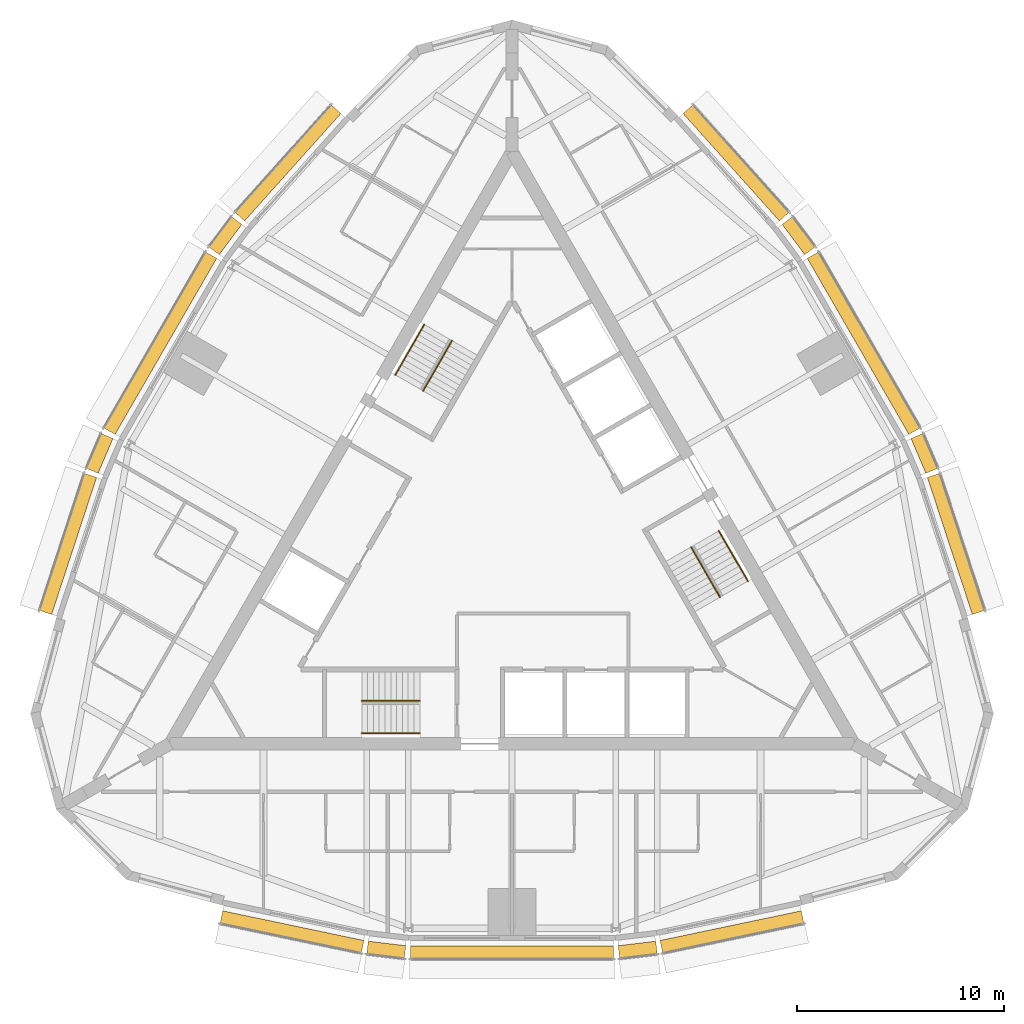
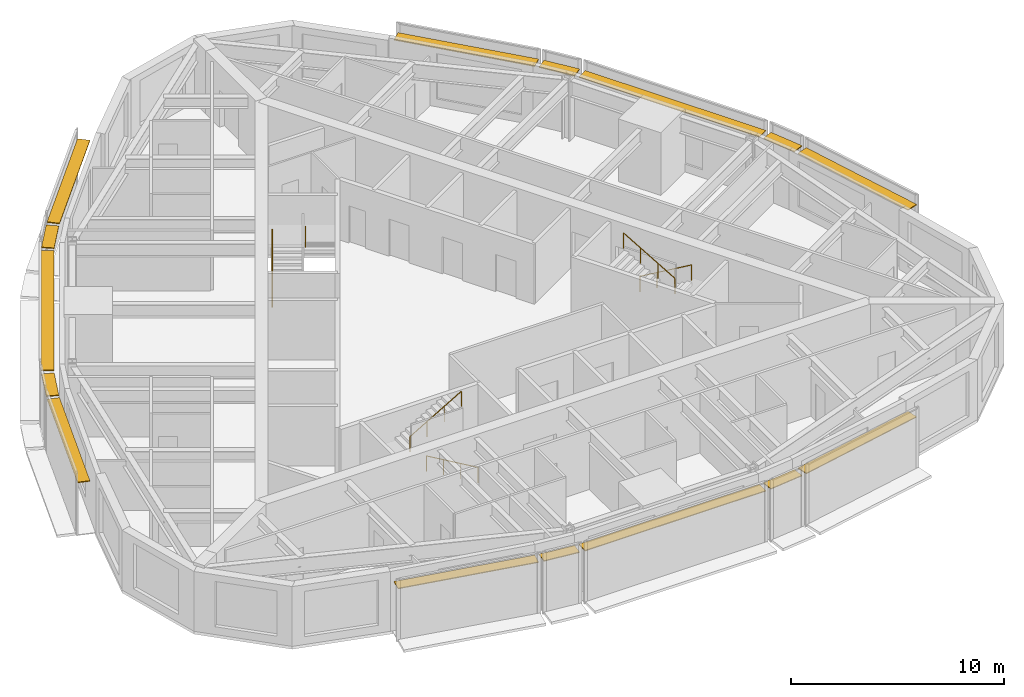
# One storey, part 12 of 12: 15 shading devices, 6 railings.
"""IFC4 building model written with IfcOpenShell, lengths in metres."""

from ifc_helpers import new_model, si_unit, direction, frame, origin, origin_2d, place, context, subcontext, project, spatial, rectangle, circle, extrude, material, type_object, element, save


model = new_model("IFC4")

# Units and contexts
model_context = context("Model", 3, precision=1e-05, world=origin(), true_north=direction((0.0, 1.0)))
body_context = subcontext(model_context, "Body", "Model", "MODEL_VIEW")
ifc_project = project(units=[si_unit("LENGTHUNIT", "METRE"), si_unit("AREAUNIT", "SQUARE_METRE"), si_unit("VOLUMEUNIT", "CUBIC_METRE"), si_unit("PLANEANGLEUNIT", "RADIAN"), si_unit("MASSUNIT", "GRAM", prefix="KILO")], contexts=[model_context])

# Site, building, storey
site_placement = place(None, origin())
site = spatial("IfcSite", under=ifc_project, at=site_placement, CompositionType="ELEMENT")
building_placement = place(site_placement, origin())
building = spatial("IfcBuilding", under=site, at=building_placement, Name="Trikona Tower", CompositionType="ELEMENT")
storey_placement = place(building_placement, frame((0.0, 0.0, 264.5)))
storey = spatial("IfcBuildingStorey", under=building, at=storey_placement, Name="L70", CompositionType="ELEMENT", Elevation=264.5)

# Shading devices
ifc_material_1 = material(Name="Aluminium louvre blade, pale anodised", Category="aluminium")
shading_device_type = type_object("IfcShadingDeviceType", Name="Cavity louvre 600", PredefinedType="USERDEFINED", material=ifc_material_1)
shading_device_1_placement = place(storey_placement, frame((-10.6162109375, -18.6083984375, 2.97509765625), z_axis=(0.0, 0.0, 1.0), x_axis=(0.97865342171, -0.205517590916, 0.0)))
element("IfcShadingDevice", 1, at=shading_device_1_placement, inside=storey, type_object=shading_device_type, Name="Cavity louvre L70-00", ObjectType="LOUVRE", PredefinedType="USERDEFINED", context=body_context, shape_type="SweptSolid", body=[
    extrude(rectangle(XDim=6.962646484375, YDim=0.60009765625, at=origin_2d()), origin(), (0.0, 0.0, 1.0), 0.050048828125),
])
shading_device_2_placement = place(storey_placement, frame((-6.0673828125, -19.471435546875, 2.97509765625), z_axis=(0.0, 0.0, 1.0), x_axis=(0.992876783199, -0.11914568135, 0.0)))
element("IfcShadingDevice", 2, at=shading_device_2_placement, inside=storey, type_object=shading_device_type, Name="Cavity louvre L70-01", ObjectType="LOUVRE", PredefinedType="USERDEFINED", context=body_context, shape_type="SweptSolid", body=[
    extrude(rectangle(XDim=1.82421875, YDim=0.60009765625, at=origin_2d()), origin(), (0.0, 0.0, 1.0), 0.050048828125),
])
shading_device_3_placement = place(storey_placement, frame((0.0, -19.595458984375, 2.97509765625), z_axis=(0.0, 0.0, 1.0), x_axis=(1.0, 0.0, 0.0)))
element("IfcShadingDevice", 3, at=shading_device_3_placement, inside=storey, type_object=shading_device_type, Name="Cavity louvre L70-02", ObjectType="LOUVRE", PredefinedType="USERDEFINED", context=body_context, shape_type="SweptSolid", body=[
    extrude(rectangle(XDim=9.81005859375, YDim=0.60009765625, at=origin_2d()), origin(), (0.0, 0.0, 1.0), 0.050048828125),
])
shading_device_4_placement = place(storey_placement, frame((6.0673828125, -19.471435546875, 2.97509765625), z_axis=(0.0, 0.0, 1.0), x_axis=(0.992876783199, 0.11914568135, 0.0)))
element("IfcShadingDevice", 4, at=shading_device_4_placement, inside=storey, type_object=shading_device_type, Name="Cavity louvre L70-03", ObjectType="LOUVRE", PredefinedType="USERDEFINED", context=body_context, shape_type="SweptSolid", body=[
    extrude(rectangle(XDim=1.82421875, YDim=0.60009765625, at=origin_2d()), origin(), (0.0, 0.0, 1.0), 0.050048828125),
])
for number, where, z_axis, x_axis, name in (
    (5, (10.6162109375, -18.6083984375, 2.97509765625), (0.0, 0.0, 1.0), (0.97865342171, 0.205517590916, 0.0), "Cavity louvre L70-04"),
    (6, (21.423583984375, 0.1103515625, 2.97509765625), (0.0, 0.0, 1.0), (-0.311336621861, 0.950299693722, 0.0), "Cavity louvre L70-09"),
):
    element("IfcShadingDevice", number, at=place(storey_placement, frame(where, z_axis=z_axis, x_axis=x_axis)), inside=storey, type_object=shading_device_type, Name=name, ObjectType="LOUVRE", PredefinedType="USERDEFINED", context=body_context, shape_type="SweptSolid", body=[
        extrude(rectangle(XDim=6.962646484375, YDim=0.60009765625, at=origin_2d()), origin(), (0.0, 0.0, 1.0), 0.050048828125),
    ])
shading_device_5_placement = place(storey_placement, frame((19.896484375, 4.481201171875, 2.97509765625), z_axis=(0.0, 0.0, 1.0), x_axis=(-0.39328408933, 0.919417002823, 0.0)))
element("IfcShadingDevice", 7, at=shading_device_5_placement, inside=storey, type_object=shading_device_type, Name="Cavity louvre L70-10", ObjectType="LOUVRE", PredefinedType="USERDEFINED", context=body_context, shape_type="SweptSolid", body=[
    extrude(rectangle(XDim=1.82421875, YDim=0.60009765625, at=origin_2d()), origin(), (0.0, 0.0, 1.0), 0.050048828125),
])
shading_device_6_placement = place(storey_placement, frame((16.97021484375, 9.797607421875, 2.97509765625), z_axis=(0.0, 0.0, 1.0), x_axis=(-0.4999984885, 0.866026276448, 0.0)))
element("IfcShadingDevice", 8, at=shading_device_6_placement, inside=storey, type_object=shading_device_type, Name="Cavity louvre L70-11", ObjectType="LOUVRE", PredefinedType="USERDEFINED", context=body_context, shape_type="SweptSolid", body=[
    extrude(rectangle(XDim=9.81005859375, YDim=0.60009765625, at=origin_2d()), origin(), (0.0, 0.0, 1.0), 0.050048828125),
])
shading_device_7_placement = place(storey_placement, frame((13.8291015625, 14.990234375, 2.97509765625), z_axis=(0.0, 0.0, 1.0), x_axis=(-0.599618784879, 0.800285769472, 0.0)))
element("IfcShadingDevice", 9, at=shading_device_7_placement, inside=storey, type_object=shading_device_type, Name="Cavity louvre L70-12", ObjectType="LOUVRE", PredefinedType="USERDEFINED", context=body_context, shape_type="SweptSolid", body=[
    extrude(rectangle(XDim=1.82421875, YDim=0.60009765625, at=origin_2d()), origin(), (0.0, 0.0, 1.0), 0.050048828125),
])
for number, where, z_axis, x_axis, name in (
    (10, (10.807373046875, 18.498046875, 2.97509765625), (0.0, 0.0, 1.0), (-0.667311465398, 0.744778764566, 0.0), "Cavity louvre L70-13"),
    (11, (-10.807373046875, 18.498046875, 2.97509765625), (0.0, 0.0, 1.0), (-0.667311465398, -0.744778764566, 0.0), "Cavity louvre L70-18"),
):
    element("IfcShadingDevice", number, at=place(storey_placement, frame(where, z_axis=z_axis, x_axis=x_axis)), inside=storey, type_object=shading_device_type, Name=name, ObjectType="LOUVRE", PredefinedType="USERDEFINED", context=body_context, shape_type="SweptSolid", body=[
        extrude(rectangle(XDim=6.962646484375, YDim=0.60009765625, at=origin_2d()), origin(), (0.0, 0.0, 1.0), 0.050048828125),
    ])
shading_device_8_placement = place(storey_placement, frame((-13.8291015625, 14.990234375, 2.97509765625), z_axis=(0.0, 0.0, 1.0), x_axis=(-0.599618784879, -0.800285769472, 0.0)))
element("IfcShadingDevice", 12, at=shading_device_8_placement, inside=storey, type_object=shading_device_type, Name="Cavity louvre L70-19", ObjectType="LOUVRE", PredefinedType="USERDEFINED", context=body_context, shape_type="SweptSolid", body=[
    extrude(rectangle(XDim=1.82421875, YDim=0.60009765625, at=origin_2d()), origin(), (0.0, 0.0, 1.0), 0.050048828125),
])
shading_device_9_placement = place(storey_placement, frame((-16.97021484375, 9.797607421875, 2.97509765625), z_axis=(0.0, 0.0, 1.0), x_axis=(-0.4999984885, -0.866026276448, 0.0)))
element("IfcShadingDevice", 13, at=shading_device_9_placement, inside=storey, type_object=shading_device_type, Name="Cavity louvre L70-20", ObjectType="LOUVRE", PredefinedType="USERDEFINED", context=body_context, shape_type="SweptSolid", body=[
    extrude(rectangle(XDim=9.81005859375, YDim=0.60009765625, at=origin_2d()), origin(), (0.0, 0.0, 1.0), 0.050048828125),
])
shading_device_10_placement = place(storey_placement, frame((-19.896484375, 4.481201171875, 2.97509765625), z_axis=(0.0, 0.0, 1.0), x_axis=(-0.39328408933, -0.919417002823, 0.0)))
element("IfcShadingDevice", 14, at=shading_device_10_placement, inside=storey, type_object=shading_device_type, Name="Cavity louvre L70-21", ObjectType="LOUVRE", PredefinedType="USERDEFINED", context=body_context, shape_type="SweptSolid", body=[
    extrude(rectangle(XDim=1.82421875, YDim=0.60009765625, at=origin_2d()), origin(), (0.0, 0.0, 1.0), 0.050048828125),
])
shading_device_11_placement = place(storey_placement, frame((-21.423583984375, 0.1103515625, 2.97509765625), z_axis=(0.0, 0.0, 1.0), x_axis=(-0.311336621861, -0.950299693722, 0.0)))
element("IfcShadingDevice", 15, at=shading_device_11_placement, inside=storey, type_object=shading_device_type, Name="Cavity louvre L70-22", ObjectType="LOUVRE", PredefinedType="USERDEFINED", context=body_context, shape_type="SweptSolid", body=[
    extrude(rectangle(XDim=6.962646484375, YDim=0.60009765625, at=origin_2d()), origin(), (0.0, 0.0, 1.0), 0.050048828125),
])

# Railings
ifc_material_2 = material(Name="Stainless steel handrail", Category="steel")
railing_type = type_object("IfcRailingType", Name="Stair handrail", PredefinedType="HANDRAIL", material=ifc_material_2)
railing_1_placement = place(storey_placement, frame((-4.449951171875, -9.016357421875, 0.16357421875)))
element("IfcRailing", 16, at=railing_1_placement, inside=storey, type_object=railing_type, Name="Stair handrail A L70 1", PredefinedType="HANDRAIL", context=body_context, shape_type="SweptSolid", body=[
    extrude(circle(Radius=0.02392578125, at=origin_2d()), frame((0.0, 0.0, 0.8759765625), z_axis=(-0.863360870873, 0.0, 0.504586966384), x_axis=(0.0, -1.0, 0.0)), (0.0, 0.0, 1.0), 3.2431640625),
    extrude(circle(Radius=0.02099609375, at=origin_2d()), origin(), (0.0, 0.0, 1.0), 0.851806640625),
    extrude(circle(Radius=0.02099609375, at=origin_2d()), frame((-0.933349609375, 0.0, 0.54541015625)), (0.0, 0.0, 1.0), 0.851806640625),
    extrude(circle(Radius=0.02099609375, at=origin_2d()), frame((-1.86669921875, 0.0, 1.091064453125)), (0.0, 0.0, 1.0), 0.851806640625),
    extrude(circle(Radius=0.02099609375, at=origin_2d()), frame((-2.800048828125, 0.0, 1.636474609375)), (0.0, 0.0, 1.0), 0.851806640625),
])
railing_2_placement = place(storey_placement, frame((-7.25, -7.46630859375, 1.963623046875)))
element("IfcRailing", 17, at=railing_2_placement, inside=storey, type_object=railing_type, Name="Stair handrail A L70 2", PredefinedType="HANDRAIL", context=body_context, shape_type="SweptSolid", body=[
    extrude(circle(Radius=0.02392578125, at=origin_2d()), frame((0.0, 0.0, 0.8759765625), z_axis=(0.863360870873, 0.0, 0.504586966384), x_axis=(0.0, 1.0, 0.0)), (0.0, 0.0, 1.0), 3.2431640625),
    extrude(circle(Radius=0.02099609375, at=origin_2d()), origin(), (0.0, 0.0, 1.0), 0.851806640625),
    extrude(circle(Radius=0.02099609375, at=origin_2d()), frame((0.933349609375, 0.0, 0.54541015625)), (0.0, 0.0, 1.0), 0.851806640625),
    extrude(circle(Radius=0.02099609375, at=origin_2d()), frame((1.86669921875, 0.0, 1.091064453125)), (0.0, 0.0, 1.0), 0.851806640625),
    extrude(circle(Radius=0.02099609375, at=origin_2d()), frame((2.800048828125, 0.0, 1.636474609375)), (0.0, 0.0, 1.0), 0.851806640625),
])
railing_3_placement = place(storey_placement, frame((9.9833984375, 0.740966796875, 0.16357421875)))
element("IfcRailing", 18, at=railing_3_placement, inside=storey, type_object=railing_type, Name="Stair handrail B L70 1", PredefinedType="HANDRAIL", context=body_context, shape_type="SweptSolid", body=[
    extrude(circle(Radius=0.02392578125, at=origin_2d()), frame((0.0, 0.0, 0.8759765625), z_axis=(0.431636334334, -0.747723004699, 0.504579412111), x_axis=(0.866056369097, 0.49994636267, 0.0)), (0.0, 0.0, 1.0), 3.2431640625),
    extrude(circle(Radius=0.02099609375, at=origin_2d()), origin(), (0.0, 0.0, 1.0), 0.851806640625),
    extrude(circle(Radius=0.02099609375, at=origin_2d()), frame((0.466552734375, -0.808349609375, 0.54541015625)), (0.0, 0.0, 1.0), 0.851806640625),
    extrude(circle(Radius=0.02099609375, at=origin_2d()), frame((0.933349609375, -1.61669921875, 1.091064453125)), (0.0, 0.0, 1.0), 0.851806640625),
    extrude(circle(Radius=0.02099609375, at=origin_2d()), frame((1.39990234375, -2.425048828125, 1.636474609375)), (0.0, 0.0, 1.0), 0.851806640625),
])
railing_4_placement = place(storey_placement, frame((10.041015625, -2.458984375, 1.963623046875)))
element("IfcRailing", 19, at=railing_4_placement, inside=storey, type_object=railing_type, Name="Stair handrail B L70 2", PredefinedType="HANDRAIL", context=body_context, shape_type="SweptSolid", body=[
    extrude(circle(Radius=0.02392578125, at=origin_2d()), frame((0.0, 0.0, 0.8759765625), z_axis=(-0.431636334334, 0.747723004699, 0.504579412111), x_axis=(-0.866056369097, -0.49994636267, 0.0)), (0.0, 0.0, 1.0), 3.2431640625),
    extrude(circle(Radius=0.02099609375, at=origin_2d()), origin(), (0.0, 0.0, 1.0), 0.851806640625),
    extrude(circle(Radius=0.02099609375, at=origin_2d()), frame((-0.466552734375, 0.808349609375, 0.54541015625)), (0.0, 0.0, 1.0), 0.851806640625),
    extrude(circle(Radius=0.02099609375, at=origin_2d()), frame((-0.933349609375, 1.61669921875, 1.091064453125)), (0.0, 0.0, 1.0), 0.851806640625),
    extrude(circle(Radius=0.02099609375, at=origin_2d()), frame((-1.39990234375, 2.425048828125, 1.636474609375)), (0.0, 0.0, 1.0), 0.851806640625),
])
railing_5_placement = place(storey_placement, frame((-5.63330078125, 8.275390625, 0.16357421875)))
element("IfcRailing", 20, at=railing_5_placement, inside=storey, type_object=railing_type, Name="Stair handrail C L70 1", PredefinedType="HANDRAIL", context=body_context, shape_type="SweptSolid", body=[
    extrude(circle(Radius=0.02392578125, at=origin_2d()), frame((0.0, 0.0, 0.8759765625), z_axis=(0.431660630283, 0.747689811644, 0.504607813879), x_axis=(-0.866034573852, 0.49998411664, 0.0)), (0.0, 0.0, 1.0), 3.2431640625),
    extrude(circle(Radius=0.02099609375, at=origin_2d()), origin(), (0.0, 0.0, 1.0), 0.851806640625),
    extrude(circle(Radius=0.02099609375, at=origin_2d()), frame((0.466552734375, 0.808349609375, 0.54541015625)), (0.0, 0.0, 1.0), 0.851806640625),
    extrude(circle(Radius=0.02099609375, at=origin_2d()), frame((0.933349609375, 1.616455078125, 1.091064453125)), (0.0, 0.0, 1.0), 0.851806640625),
    extrude(circle(Radius=0.02099609375, at=origin_2d()), frame((1.39990234375, 2.4248046875, 1.636474609375)), (0.0, 0.0, 1.0), 0.851806640625),
])
railing_6_placement = place(storey_placement, frame((-2.89111328125, 9.92529296875, 1.963623046875)))
element("IfcRailing", 21, at=railing_6_placement, inside=storey, type_object=railing_type, Name="Stair handrail C L70 2", PredefinedType="HANDRAIL", context=body_context, shape_type="SweptSolid", body=[
    extrude(circle(Radius=0.02392578125, at=origin_2d()), frame((0.0, 0.0, 0.8759765625), z_axis=(-0.431636334334, -0.747723004699, 0.504579412111), x_axis=(0.866056369097, -0.49994636267, 0.0)), (0.0, 0.0, 1.0), 3.2431640625),
    extrude(circle(Radius=0.02099609375, at=origin_2d()), origin(), (0.0, 0.0, 1.0), 0.851806640625),
    extrude(circle(Radius=0.02099609375, at=origin_2d()), frame((-0.466552734375, -0.808349609375, 0.54541015625)), (0.0, 0.0, 1.0), 0.851806640625),
    extrude(circle(Radius=0.02099609375, at=origin_2d()), frame((-0.933349609375, -1.61669921875, 1.091064453125)), (0.0, 0.0, 1.0), 0.851806640625),
    extrude(circle(Radius=0.02099609375, at=origin_2d()), frame((-1.39990234375, -2.425048828125, 1.636474609375)), (0.0, 0.0, 1.0), 0.851806640625),
])

save(model, "model.ifc")
